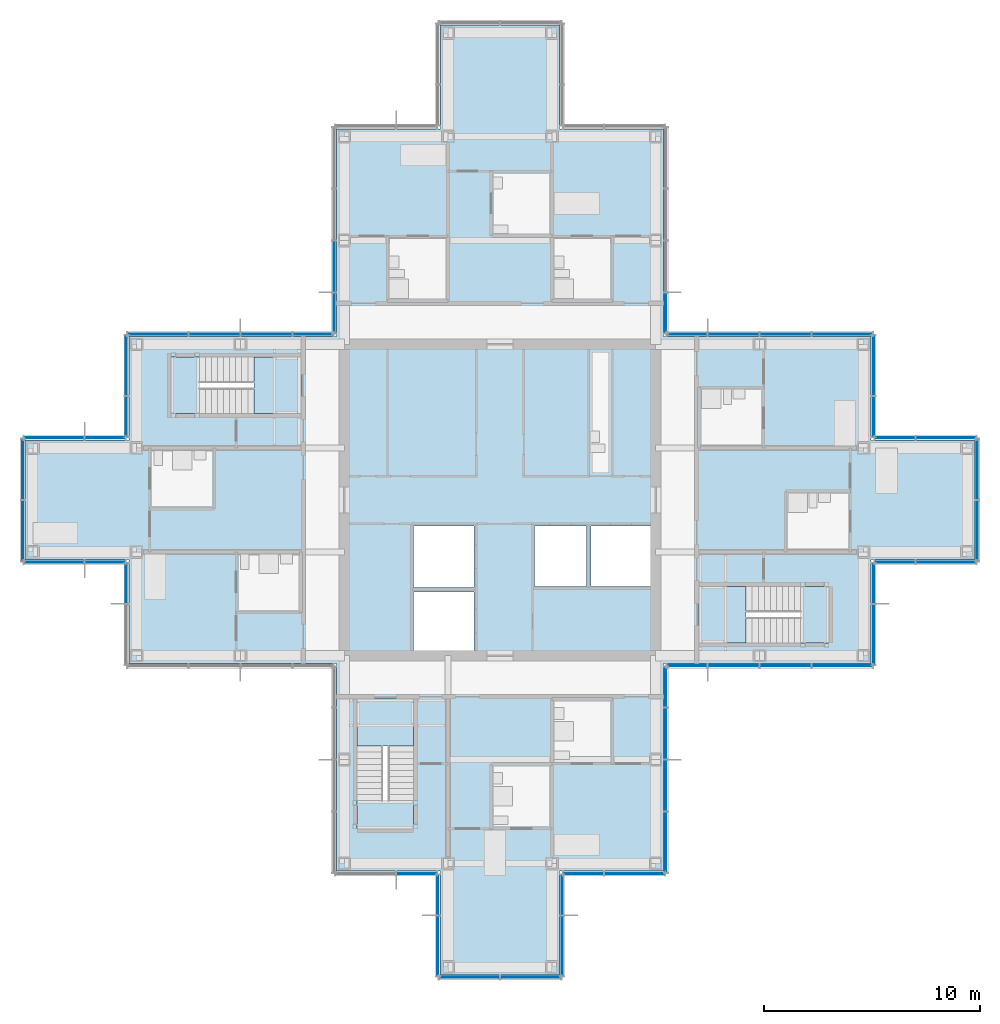
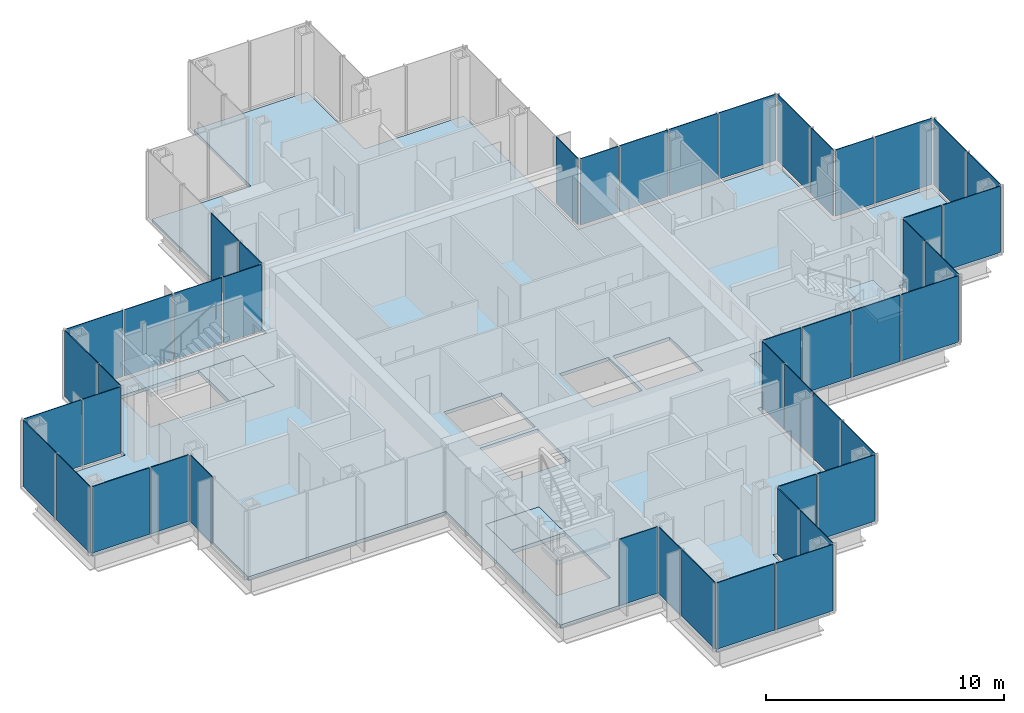
# One storey, part 10 of 17: 47 plates, 7 slabs, 24 elements without a shape of their own.
"""IFC4 building model written with IfcOpenShell, lengths in metres."""

from ifc_helpers import new_model, si_unit, direction, frame, origin, origin_2d, place, context, subcontext, project, spatial, polyline, rectangle, outline, extrude, material, layer, layer_set, type_object, element, aggregate, save


model = new_model("IFC4")

# Units and contexts
model_context = context("Model", 3, precision=1e-05, world=origin(), true_north=direction((0.0, 1.0)))
body_context = subcontext(model_context, "Body", "Model", "MODEL_VIEW")
ifc_project = project(units=[si_unit("LENGTHUNIT", "METRE"), si_unit("AREAUNIT", "SQUARE_METRE"), si_unit("VOLUMEUNIT", "CUBIC_METRE"), si_unit("PLANEANGLEUNIT", "RADIAN"), si_unit("MASSUNIT", "GRAM", prefix="KILO")], contexts=[model_context])

# Site, building, storey
site_placement = place(None, origin())
site = spatial("IfcSite", under=ifc_project, at=site_placement, CompositionType="ELEMENT")
building_placement = place(site_placement, origin())
building = spatial("IfcBuilding", under=site, at=building_placement, Name="Kvirike Care Tower", CompositionType="ELEMENT")
storey_placement = place(building_placement, frame((0.0, 0.0, 183.0)))
storey = spatial("IfcBuildingStorey", under=building, at=storey_placement, Name="L50", CompositionType="ELEMENT", Elevation=183.0)

# Slab
ifc_material_1 = material(Name="Concrete C35/45", Category="concrete")
ifc_layer_1 = layer(ifc_material_1, 0.169921875)
ifc_layer_set_1 = layer_set([ifc_layer_1], Name="FLOOR SLAB 170")
slab_type_1 = type_object("IfcSlabType", Name="FLOOR SLAB 170", PredefinedType="FLOOR", material=ifc_layer_set_1)
slab_1_placement = place(storey_placement, frame((0.0, 0.0, -0.169921875)))
element("IfcSlab", 1, at=slab_1_placement, inside=storey, type_object=slab_type_1, Name="Floor slab L50", PredefinedType="FLOOR", context=body_context, shape_type="SweptSolid", body=[
    extrude(outline(polyline([(29.14990234375, 28.449951171875), (38.75, 28.449951171875), (38.75, 33.25), (43.550048828125, 33.25), (43.550048828125, 38.75), (38.75, 38.75), (38.75, 43.550048828125), (29.14990234375, 43.550048828125), (29.14990234375, 53.14990234375), (24.35009765625, 53.14990234375), (24.35009765625, 57.949951171875), (18.85009765625, 57.949951171875), (18.85009765625, 53.14990234375), (14.050048828125, 53.14990234375), (14.050048828125, 43.550048828125), (4.449951171875, 43.550048828125), (4.449951171875, 38.75), (-0.35009765625, 38.75), (-0.35009765625, 33.25), (4.449951171875, 33.25), (4.449951171875, 28.449951171875), (14.050048828125, 28.449951171875), (14.050048828125, 18.85009765625), (18.85009765625, 18.85009765625), (18.85009765625, 14.050048828125), (24.35009765625, 14.050048828125), (24.35009765625, 18.85009765625), (29.14990234375, 18.85009765625), (29.14990234375, 28.449951171875)]), holes=[polyline([(17.60009765625, 29.050048828125), (17.60009765625, 31.75), (20.39990234375, 31.75), (20.39990234375, 29.050048828125), (17.60009765625, 29.050048828125)]), polyline([(17.60009765625, 31.949951171875), (17.60009765625, 34.800048828125), (20.39990234375, 34.800048828125), (20.39990234375, 31.949951171875), (17.60009765625, 31.949951171875)]), polyline([(23.199951171875, 32.0), (23.199951171875, 34.800048828125), (25.60009765625, 34.800048828125), (25.60009765625, 32.0), (23.199951171875, 32.0)]), polyline([(25.800048828125, 32.0), (25.800048828125, 34.800048828125), (28.550048828125, 34.800048828125), (28.550048828125, 32.0), (25.800048828125, 32.0)]), polyline([(12.39990234375, 42.60009765625), (12.39990234375, 40.0), (6.39990234375, 40.0), (6.39990234375, 42.60009765625), (12.39990234375, 42.60009765625)]), polyline([(30.800048828125, 29.39990234375), (30.800048828125, 32.0), (36.800048828125, 32.0), (36.800048828125, 29.39990234375), (30.800048828125, 29.39990234375)]), polyline([(15.0, 26.800048828125), (17.60009765625, 26.800048828125), (17.60009765625, 20.800048828125), (15.0, 20.800048828125), (15.0, 26.800048828125)])]), origin(), (0.0, 0.0, 1.0), 0.169921875),
])

# Stair, slabs
ifc_material_2 = material(Name="Concrete C35/45", Category="concrete")
stair_type = type_object("IfcStairType", Name="STAIR 20 RISERS", PredefinedType="HALF_TURN_STAIR", material=ifc_material_2)
stair_1_placement = place(storey_placement, origin())
stair_1 = element("IfcStair", 2, at=stair_1_placement, inside=storey, type_object=stair_type, Name="Stair 1 L50", PredefinedType="HALF_TURN_STAIR")
ifc_material_3 = material(Name="Concrete C35/45", Category="concrete")
ifc_layer_2 = layer(ifc_material_3, 0.199951171875)
ifc_layer_set_2 = layer_set([ifc_layer_2], Name="STAIR LANDING 200")
slab_type_2 = type_object("IfcSlabType", Name="STAIR LANDING 200", PredefinedType="LANDING", material=ifc_layer_set_2)
slab_2_placement = place(storey_placement, frame((0.0, 0.0, -0.199951171875)))
slab_2 = element("IfcSlab", 3, at=slab_2_placement, type_object=slab_type_2, Name="Stair S1 floor landing L50", PredefinedType="LANDING", context=body_context, shape_type="SweptSolid", body=[
    extrude(outline(polyline([(10.219970703125, 42.60009765625), (10.219970703125, 40.0), (12.39990234375, 40.0), (12.39990234375, 42.60009765625), (10.219970703125, 42.60009765625)])), origin(), (0.0, 0.0, 1.0), 0.199951171875),
])
slab_3_placement = place(storey_placement, frame((0.0, 0.0, 1.550048828125)))
slab_3 = element("IfcSlab", 4, at=slab_3_placement, type_object=slab_type_2, Name="Stair S1 half landing L50-L51", PredefinedType="LANDING", context=body_context, shape_type="SweptSolid", body=[
    extrude(outline(polyline([(6.39990234375, 42.60009765625), (6.39990234375, 40.0), (7.699951171875, 40.0), (7.699951171875, 42.60009765625), (6.39990234375, 42.60009765625)])), origin(), (0.0, 0.0, 1.0), 0.199951171875),
])
aggregate(stair_1, [slab_2, slab_3])

stair_2_placement = place(storey_placement, origin())
stair_2 = element("IfcStair", 5, at=stair_2_placement, inside=storey, type_object=stair_type, Name="Stair 2 L50", PredefinedType="HALF_TURN_STAIR")
slab_4_placement = place(storey_placement, frame((0.0, 0.0, -0.199951171875)))
slab_4 = element("IfcSlab", 6, at=slab_4_placement, type_object=slab_type_2, Name="Stair S2 floor landing L50", PredefinedType="LANDING", context=body_context, shape_type="SweptSolid", body=[
    extrude(outline(polyline([(32.97998046875, 29.39990234375), (32.97998046875, 32.0), (30.800048828125, 32.0), (30.800048828125, 29.39990234375), (32.97998046875, 29.39990234375)])), origin(), (0.0, 0.0, 1.0), 0.199951171875),
])
slab_5_placement = place(storey_placement, frame((0.0, 0.0, 1.550048828125)))
slab_5 = element("IfcSlab", 7, at=slab_5_placement, type_object=slab_type_2, Name="Stair S2 half landing L50-L51", PredefinedType="LANDING", context=body_context, shape_type="SweptSolid", body=[
    extrude(outline(polyline([(36.800048828125, 29.39990234375), (36.800048828125, 32.0), (35.5, 32.0), (35.5, 29.39990234375), (36.800048828125, 29.39990234375)])), origin(), (0.0, 0.0, 1.0), 0.199951171875),
])
aggregate(stair_2, [slab_4, slab_5])

stair_3_placement = place(storey_placement, origin())
stair_3 = element("IfcStair", 8, at=stair_3_placement, inside=storey, type_object=stair_type, Name="Stair 5 L50", PredefinedType="HALF_TURN_STAIR")
slab_6_placement = place(storey_placement, frame((0.0, 0.0, -0.199951171875)))
slab_6 = element("IfcSlab", 9, at=slab_6_placement, type_object=slab_type_2, Name="Stair S5 floor landing L50", PredefinedType="LANDING", context=body_context, shape_type="SweptSolid", body=[
    extrude(outline(polyline([(15.0, 24.6201171875), (17.60009765625, 24.6201171875), (17.60009765625, 26.800048828125), (15.0, 26.800048828125), (15.0, 24.6201171875)])), origin(), (0.0, 0.0, 1.0), 0.199951171875),
])
slab_7_placement = place(storey_placement, frame((0.0, 0.0, 1.550048828125)))
slab_7 = element("IfcSlab", 10, at=slab_7_placement, type_object=slab_type_2, Name="Stair S5 half landing L50-L51", PredefinedType="LANDING", context=body_context, shape_type="SweptSolid", body=[
    extrude(outline(polyline([(15.0, 20.800048828125), (17.60009765625, 20.800048828125), (17.60009765625, 22.10009765625), (15.0, 22.10009765625), (15.0, 20.800048828125)])), origin(), (0.0, 0.0, 1.0), 0.199951171875),
])
aggregate(stair_3, [slab_6, slab_7])

# Curtain wall, plates
ifc_material_4 = material(Name="Anodised aluminium stick system", Category="aluminium")
curtain_wall_type = type_object("IfcCurtainWallType", Name="CW-C STICK CURTAIN WALL", PredefinedType="NOTDEFINED", material=ifc_material_4)
curtain_wall_1_placement = place(storey_placement, origin())
curtain_wall_1 = element("IfcCurtainWall", 11, at=curtain_wall_1_placement, inside=storey, type_object=curtain_wall_type, Name="Curtain wall L50 face 1", PredefinedType="NOTDEFINED")
ifc_material_5 = material(Name="Tinted double glazed unit", Category="glass")
ifc_layer_3 = layer(ifc_material_5, 0.0400390625)
ifc_layer_set_3 = layer_set([ifc_layer_3], Name="TINTED VISION PANEL 40")
plate_type = type_object("IfcPlateType", Name="TINTED VISION PANEL 40", PredefinedType="CURTAIN_PANEL", material=ifc_layer_set_3)
plate_1_placement = place(storey_placement, frame((30.251220703125, 28.330078125, 0.10009765625), z_axis=(0.0, 0.0, 1.0), x_axis=(1.0, 0.0, 0.0)))
plate_1 = element("IfcPlate", 12, at=plate_1_placement, type_object=plate_type, Name="CW-C panel L50 face 1.1", PredefinedType="CURTAIN_PANEL", context=body_context, shape_type="SweptSolid", body=[
    extrude(rectangle(XDim=1.83251953125, YDim=0.0400390625, at=origin_2d()), origin(), (0.0, 0.0, 1.0), 3.39990234375),
])
plate_2_placement = place(storey_placement, frame((32.39990234375, 28.330078125, 0.10009765625), z_axis=(0.0, 0.0, 1.0), x_axis=(1.0, 0.0, 0.0)))
plate_2 = element("IfcPlate", 13, at=plate_2_placement, type_object=plate_type, Name="CW-C panel L50 face 1.2", PredefinedType="CURTAIN_PANEL", context=body_context, shape_type="SweptSolid", body=[
    extrude(rectangle(XDim=2.3349609375, YDim=0.0400390625, at=origin_2d()), origin(), (0.0, 0.0, 1.0), 3.39990234375),
])
plate_3_placement = place(storey_placement, frame((34.800048828125, 28.330078125, 0.10009765625), z_axis=(0.0, 0.0, 1.0), x_axis=(1.0, 0.0, 0.0)))
plate_3 = element("IfcPlate", 14, at=plate_3_placement, type_object=plate_type, Name="CW-C panel L50 face 1.3", PredefinedType="CURTAIN_PANEL", context=body_context, shape_type="SweptSolid", body=[
    extrude(rectangle(XDim=2.3349609375, YDim=0.0400390625, at=origin_2d()), origin(), (0.0, 0.0, 1.0), 3.39990234375),
])
plate_4_placement = place(storey_placement, frame((37.418701171875, 28.330078125, 0.10009765625), z_axis=(0.0, 0.0, 1.0), x_axis=(1.0, 0.0, 0.0)))
plate_4 = element("IfcPlate", 15, at=plate_4_placement, type_object=plate_type, Name="CW-C panel L50 face 1.4", PredefinedType="CURTAIN_PANEL", context=body_context, shape_type="SweptSolid", body=[
    extrude(rectangle(XDim=2.7724609375, YDim=0.0400390625, at=origin_2d()), origin(), (0.0, 0.0, 1.0), 3.39990234375),
])
aggregate(curtain_wall_1, [plate_1, plate_2, plate_3, plate_4])

curtain_wall_2_placement = place(storey_placement, origin())
curtain_wall_2 = element("IfcCurtainWall", 16, at=curtain_wall_2_placement, inside=storey, type_object=curtain_wall_type, Name="Curtain wall L50 face 2", PredefinedType="NOTDEFINED")
plate_5_placement = place(storey_placement, frame((38.8701171875, 29.78125, 0.10009765625), z_axis=(0.0, 0.0, 1.0), x_axis=(0.0, 1.0, 0.0)))
plate_5 = element("IfcPlate", 17, at=plate_5_placement, type_object=plate_type, Name="CW-C panel L50 face 2.1", PredefinedType="CURTAIN_PANEL", context=body_context, shape_type="SweptSolid", body=[
    extrude(rectangle(XDim=2.7724609375, YDim=0.0400390625, at=origin_2d()), origin(), (0.0, 0.0, 1.0), 3.39990234375),
])
plate_6_placement = place(storey_placement, frame((38.8701171875, 32.148681640625, 0.10009765625), z_axis=(0.0, 0.0, 1.0), x_axis=(0.0, 1.0, 0.0)))
plate_6 = element("IfcPlate", 18, at=plate_6_placement, type_object=plate_type, Name="CW-C panel L50 face 2.2", PredefinedType="CURTAIN_PANEL", context=body_context, shape_type="SweptSolid", body=[
    extrude(rectangle(XDim=1.83251953125, YDim=0.0400390625, at=origin_2d()), origin(), (0.0, 0.0, 1.0), 3.39990234375),
])
aggregate(curtain_wall_2, [plate_5, plate_6])

curtain_wall_3_placement = place(storey_placement, origin())
curtain_wall_3 = element("IfcCurtainWall", 19, at=curtain_wall_3_placement, inside=storey, type_object=curtain_wall_type, Name="Curtain wall L50 face 3", PredefinedType="NOTDEFINED")
plate_7_placement = place(storey_placement, frame((39.851318359375, 33.1298828125, 0.10009765625), z_axis=(0.0, 0.0, 1.0), x_axis=(1.0, 0.0, 0.0)))
plate_7 = element("IfcPlate", 20, at=plate_7_placement, type_object=plate_type, Name="CW-C panel L50 face 3.1", PredefinedType="CURTAIN_PANEL", context=body_context, shape_type="SweptSolid", body=[
    extrude(rectangle(XDim=1.83251953125, YDim=0.0400390625, at=origin_2d()), origin(), (0.0, 0.0, 1.0), 3.39990234375),
])
plate_8_placement = place(storey_placement, frame((42.21875, 33.1298828125, 0.10009765625), z_axis=(0.0, 0.0, 1.0), x_axis=(1.0, 0.0, 0.0)))
plate_8 = element("IfcPlate", 21, at=plate_8_placement, type_object=plate_type, Name="CW-C panel L50 face 3.2", PredefinedType="CURTAIN_PANEL", context=body_context, shape_type="SweptSolid", body=[
    extrude(rectangle(XDim=2.7724609375, YDim=0.0400390625, at=origin_2d()), origin(), (0.0, 0.0, 1.0), 3.39990234375),
])
aggregate(curtain_wall_3, [plate_7, plate_8])

curtain_wall_4_placement = place(storey_placement, origin())
curtain_wall_4 = element("IfcCurtainWall", 22, at=curtain_wall_4_placement, inside=storey, type_object=curtain_wall_type, Name="Curtain wall L50 face 4", PredefinedType="NOTDEFINED")
plate_9_placement = place(storey_placement, frame((43.669921875, 34.581298828125, 0.10009765625), z_axis=(0.0, 0.0, 1.0), x_axis=(0.0, 1.0, 0.0)))
plate_9 = element("IfcPlate", 23, at=plate_9_placement, type_object=plate_type, Name="CW-C panel L50 face 4.1", PredefinedType="CURTAIN_PANEL", context=body_context, shape_type="SweptSolid", body=[
    extrude(rectangle(XDim=2.7724609375, YDim=0.0400390625, at=origin_2d()), origin(), (0.0, 0.0, 1.0), 3.39990234375),
])
plate_10_placement = place(storey_placement, frame((43.669921875, 37.418701171875, 0.10009765625), z_axis=(0.0, 0.0, 1.0), x_axis=(0.0, 1.0, 0.0)))
plate_10 = element("IfcPlate", 24, at=plate_10_placement, type_object=plate_type, Name="CW-C panel L50 face 4.2", PredefinedType="CURTAIN_PANEL", context=body_context, shape_type="SweptSolid", body=[
    extrude(rectangle(XDim=2.7724609375, YDim=0.0400390625, at=origin_2d()), origin(), (0.0, 0.0, 1.0), 3.39990234375),
])
aggregate(curtain_wall_4, [plate_9, plate_10])

curtain_wall_5_placement = place(storey_placement, origin())
curtain_wall_5 = element("IfcCurtainWall", 25, at=curtain_wall_5_placement, inside=storey, type_object=curtain_wall_type, Name="Curtain wall L50 face 5", PredefinedType="NOTDEFINED")
plate_11_placement = place(storey_placement, frame((42.21875, 38.8701171875, 0.10009765625), z_axis=(0.0, 0.0, 1.0), x_axis=(-1.0, 0.0, 0.0)))
plate_11 = element("IfcPlate", 26, at=plate_11_placement, type_object=plate_type, Name="CW-C panel L50 face 5.1", PredefinedType="CURTAIN_PANEL", context=body_context, shape_type="SweptSolid", body=[
    extrude(rectangle(XDim=2.7724609375, YDim=0.0400390625, at=origin_2d()), origin(), (0.0, 0.0, 1.0), 3.39990234375),
])
plate_12_placement = place(storey_placement, frame((39.851318359375, 38.8701171875, 0.10009765625), z_axis=(0.0, 0.0, 1.0), x_axis=(-1.0, 0.0, 0.0)))
plate_12 = element("IfcPlate", 27, at=plate_12_placement, type_object=plate_type, Name="CW-C panel L50 face 5.2", PredefinedType="CURTAIN_PANEL", context=body_context, shape_type="SweptSolid", body=[
    extrude(rectangle(XDim=1.83251953125, YDim=0.0400390625, at=origin_2d()), origin(), (0.0, 0.0, 1.0), 3.39990234375),
])
aggregate(curtain_wall_5, [plate_11, plate_12])

curtain_wall_6_placement = place(storey_placement, origin())
curtain_wall_6 = element("IfcCurtainWall", 28, at=curtain_wall_6_placement, inside=storey, type_object=curtain_wall_type, Name="Curtain wall L50 face 6", PredefinedType="NOTDEFINED")
plate_13_placement = place(storey_placement, frame((38.8701171875, 39.851318359375, 0.10009765625), z_axis=(0.0, 0.0, 1.0), x_axis=(0.0, 1.0, 0.0)))
plate_13 = element("IfcPlate", 29, at=plate_13_placement, type_object=plate_type, Name="CW-C panel L50 face 6.1", PredefinedType="CURTAIN_PANEL", context=body_context, shape_type="SweptSolid", body=[
    extrude(rectangle(XDim=1.83251953125, YDim=0.0400390625, at=origin_2d()), origin(), (0.0, 0.0, 1.0), 3.39990234375),
])
plate_14_placement = place(storey_placement, frame((38.8701171875, 42.21875, 0.10009765625), z_axis=(0.0, 0.0, 1.0), x_axis=(0.0, 1.0, 0.0)))
plate_14 = element("IfcPlate", 30, at=plate_14_placement, type_object=plate_type, Name="CW-C panel L50 face 6.2", PredefinedType="CURTAIN_PANEL", context=body_context, shape_type="SweptSolid", body=[
    extrude(rectangle(XDim=2.7724609375, YDim=0.0400390625, at=origin_2d()), origin(), (0.0, 0.0, 1.0), 3.39990234375),
])
aggregate(curtain_wall_6, [plate_13, plate_14])

curtain_wall_7_placement = place(storey_placement, origin())
curtain_wall_7 = element("IfcCurtainWall", 31, at=curtain_wall_7_placement, inside=storey, type_object=curtain_wall_type, Name="Curtain wall L50 face 7", PredefinedType="NOTDEFINED")
plate_15_placement = place(storey_placement, frame((37.418701171875, 43.669921875, 0.10009765625), z_axis=(0.0, 0.0, 1.0), x_axis=(-1.0, 0.0, 0.0)))
plate_15 = element("IfcPlate", 32, at=plate_15_placement, type_object=plate_type, Name="CW-C panel L50 face 7.1", PredefinedType="CURTAIN_PANEL", context=body_context, shape_type="SweptSolid", body=[
    extrude(rectangle(XDim=2.7724609375, YDim=0.0400390625, at=origin_2d()), origin(), (0.0, 0.0, 1.0), 3.39990234375),
])
plate_16_placement = place(storey_placement, frame((34.800048828125, 43.669921875, 0.10009765625), z_axis=(0.0, 0.0, 1.0), x_axis=(-1.0, 0.0, 0.0)))
plate_16 = element("IfcPlate", 33, at=plate_16_placement, type_object=plate_type, Name="CW-C panel L50 face 7.2", PredefinedType="CURTAIN_PANEL", context=body_context, shape_type="SweptSolid", body=[
    extrude(rectangle(XDim=2.3349609375, YDim=0.0400390625, at=origin_2d()), origin(), (0.0, 0.0, 1.0), 3.39990234375),
])
plate_17_placement = place(storey_placement, frame((32.39990234375, 43.669921875, 0.10009765625), z_axis=(0.0, 0.0, 1.0), x_axis=(-1.0, 0.0, 0.0)))
plate_17 = element("IfcPlate", 34, at=plate_17_placement, type_object=plate_type, Name="CW-C panel L50 face 7.3", PredefinedType="CURTAIN_PANEL", context=body_context, shape_type="SweptSolid", body=[
    extrude(rectangle(XDim=2.3349609375, YDim=0.0400390625, at=origin_2d()), origin(), (0.0, 0.0, 1.0), 3.39990234375),
])
plate_18_placement = place(storey_placement, frame((30.251220703125, 43.669921875, 0.10009765625), z_axis=(0.0, 0.0, 1.0), x_axis=(-1.0, 0.0, 0.0)))
plate_18 = element("IfcPlate", 35, at=plate_18_placement, type_object=plate_type, Name="CW-C panel L50 face 7.4", PredefinedType="CURTAIN_PANEL", context=body_context, shape_type="SweptSolid", body=[
    extrude(rectangle(XDim=1.83251953125, YDim=0.0400390625, at=origin_2d()), origin(), (0.0, 0.0, 1.0), 3.39990234375),
])
aggregate(curtain_wall_7, [plate_15, plate_16, plate_17, plate_18])

# Curtain wall, plate
curtain_wall_8_placement = place(storey_placement, origin())
curtain_wall_8 = element("IfcCurtainWall", 36, at=curtain_wall_8_placement, inside=storey, type_object=curtain_wall_type, Name="Curtain wall L50 face 8", PredefinedType="NOTDEFINED")
plate_19_placement = place(storey_placement, frame((29.27001953125, 44.6513671875, 0.10009765625), z_axis=(0.0, 0.0, 1.0), x_axis=(0.0, 1.0, 0.0)))
plate_19 = element("IfcPlate", 37, at=plate_19_placement, type_object=plate_type, Name="CW-C panel L50 face 8.1", PredefinedType="CURTAIN_PANEL", context=body_context, shape_type="SweptSolid", body=[
    extrude(rectangle(XDim=1.83251953125, YDim=0.0400390625, at=origin_2d()), origin(), (0.0, 0.0, 1.0), 3.39990234375),
])
aggregate(curtain_wall_8, [plate_19])

# Curtain wall, plates
curtain_wall_9_placement = place(storey_placement, origin())
curtain_wall_9 = element("IfcCurtainWall", 38, at=curtain_wall_9_placement, inside=storey, type_object=curtain_wall_type, Name="Curtain wall L50 face 14", PredefinedType="NOTDEFINED")
plate_20_placement = place(storey_placement, frame((13.929931640625, 46.800048828125, 0.10009765625), z_axis=(0.0, 0.0, 1.0), x_axis=(0.0, -1.0, 0.0)))
plate_20 = element("IfcPlate", 39, at=plate_20_placement, type_object=plate_type, Name="CW-C panel L50 face 14.3", PredefinedType="CURTAIN_PANEL", context=body_context, shape_type="SweptSolid", body=[
    extrude(rectangle(XDim=2.3349609375, YDim=0.0400390625, at=origin_2d()), origin(), (0.0, 0.0, 1.0), 3.39990234375),
])
plate_21_placement = place(storey_placement, frame((13.929931640625, 44.6513671875, 0.10009765625), z_axis=(0.0, 0.0, 1.0), x_axis=(0.0, -1.0, 0.0)))
plate_21 = element("IfcPlate", 40, at=plate_21_placement, type_object=plate_type, Name="CW-C panel L50 face 14.4", PredefinedType="CURTAIN_PANEL", context=body_context, shape_type="SweptSolid", body=[
    extrude(rectangle(XDim=1.83251953125, YDim=0.0400390625, at=origin_2d()), origin(), (0.0, 0.0, 1.0), 3.39990234375),
])
aggregate(curtain_wall_9, [plate_20, plate_21])

curtain_wall_10_placement = place(storey_placement, origin())
curtain_wall_10 = element("IfcCurtainWall", 41, at=curtain_wall_10_placement, inside=storey, type_object=curtain_wall_type, Name="Curtain wall L50 face 15", PredefinedType="NOTDEFINED")
plate_22_placement = place(storey_placement, frame((12.94873046875, 43.669921875, 0.10009765625), z_axis=(0.0, 0.0, 1.0), x_axis=(-1.0, 0.0, 0.0)))
plate_22 = element("IfcPlate", 42, at=plate_22_placement, type_object=plate_type, Name="CW-C panel L50 face 15.1", PredefinedType="CURTAIN_PANEL", context=body_context, shape_type="SweptSolid", body=[
    extrude(rectangle(XDim=1.83251953125, YDim=0.0400390625, at=origin_2d()), origin(), (0.0, 0.0, 1.0), 3.39990234375),
])
plate_23_placement = place(storey_placement, frame((10.800048828125, 43.669921875, 0.10009765625), z_axis=(0.0, 0.0, 1.0), x_axis=(-1.0, 0.0, 0.0)))
plate_23 = element("IfcPlate", 43, at=plate_23_placement, type_object=plate_type, Name="CW-C panel L50 face 15.2", PredefinedType="CURTAIN_PANEL", context=body_context, shape_type="SweptSolid", body=[
    extrude(rectangle(XDim=2.3349609375, YDim=0.0400390625, at=origin_2d()), origin(), (0.0, 0.0, 1.0), 3.39990234375),
])
plate_24_placement = place(storey_placement, frame((8.39990234375, 43.669921875, 0.10009765625), z_axis=(0.0, 0.0, 1.0), x_axis=(-1.0, 0.0, 0.0)))
plate_24 = element("IfcPlate", 44, at=plate_24_placement, type_object=plate_type, Name="CW-C panel L50 face 15.3", PredefinedType="CURTAIN_PANEL", context=body_context, shape_type="SweptSolid", body=[
    extrude(rectangle(XDim=2.3349609375, YDim=0.0400390625, at=origin_2d()), origin(), (0.0, 0.0, 1.0), 3.39990234375),
])
plate_25_placement = place(storey_placement, frame((5.78125, 43.669921875, 0.10009765625), z_axis=(0.0, 0.0, 1.0), x_axis=(-1.0, 0.0, 0.0)))
plate_25 = element("IfcPlate", 45, at=plate_25_placement, type_object=plate_type, Name="CW-C panel L50 face 15.4", PredefinedType="CURTAIN_PANEL", context=body_context, shape_type="SweptSolid", body=[
    extrude(rectangle(XDim=2.7724609375, YDim=0.0400390625, at=origin_2d()), origin(), (0.0, 0.0, 1.0), 3.39990234375),
])
aggregate(curtain_wall_10, [plate_22, plate_23, plate_24, plate_25])

curtain_wall_11_placement = place(storey_placement, origin())
curtain_wall_11 = element("IfcCurtainWall", 46, at=curtain_wall_11_placement, inside=storey, type_object=curtain_wall_type, Name="Curtain wall L50 face 16", PredefinedType="NOTDEFINED")
plate_26_placement = place(storey_placement, frame((4.330078125, 42.21875, 0.10009765625), z_axis=(0.0, 0.0, 1.0), x_axis=(0.0, -1.0, 0.0)))
plate_26 = element("IfcPlate", 47, at=plate_26_placement, type_object=plate_type, Name="CW-C panel L50 face 16.1", PredefinedType="CURTAIN_PANEL", context=body_context, shape_type="SweptSolid", body=[
    extrude(rectangle(XDim=2.7724609375, YDim=0.0400390625, at=origin_2d()), origin(), (0.0, 0.0, 1.0), 3.39990234375),
])
plate_27_placement = place(storey_placement, frame((4.330078125, 39.851318359375, 0.10009765625), z_axis=(0.0, 0.0, 1.0), x_axis=(0.0, -1.0, 0.0)))
plate_27 = element("IfcPlate", 48, at=plate_27_placement, type_object=plate_type, Name="CW-C panel L50 face 16.2", PredefinedType="CURTAIN_PANEL", context=body_context, shape_type="SweptSolid", body=[
    extrude(rectangle(XDim=1.83251953125, YDim=0.0400390625, at=origin_2d()), origin(), (0.0, 0.0, 1.0), 3.39990234375),
])
aggregate(curtain_wall_11, [plate_26, plate_27])

curtain_wall_12_placement = place(storey_placement, origin())
curtain_wall_12 = element("IfcCurtainWall", 49, at=curtain_wall_12_placement, inside=storey, type_object=curtain_wall_type, Name="Curtain wall L50 face 17", PredefinedType="NOTDEFINED")
plate_28_placement = place(storey_placement, frame((3.3486328125, 38.8701171875, 0.10009765625), z_axis=(0.0, 0.0, 1.0), x_axis=(-1.0, 0.0, 0.0)))
plate_28 = element("IfcPlate", 50, at=plate_28_placement, type_object=plate_type, Name="CW-C panel L50 face 17.1", PredefinedType="CURTAIN_PANEL", context=body_context, shape_type="SweptSolid", body=[
    extrude(rectangle(XDim=1.83251953125, YDim=0.0400390625, at=origin_2d()), origin(), (0.0, 0.0, 1.0), 3.39990234375),
])
plate_29_placement = place(storey_placement, frame((0.981201171875, 38.8701171875, 0.10009765625), z_axis=(0.0, 0.0, 1.0), x_axis=(-1.0, 0.0, 0.0)))
plate_29 = element("IfcPlate", 51, at=plate_29_placement, type_object=plate_type, Name="CW-C panel L50 face 17.2", PredefinedType="CURTAIN_PANEL", context=body_context, shape_type="SweptSolid", body=[
    extrude(rectangle(XDim=2.7724609375, YDim=0.0400390625, at=origin_2d()), origin(), (0.0, 0.0, 1.0), 3.39990234375),
])
aggregate(curtain_wall_12, [plate_28, plate_29])

curtain_wall_13_placement = place(storey_placement, origin())
curtain_wall_13 = element("IfcCurtainWall", 52, at=curtain_wall_13_placement, inside=storey, type_object=curtain_wall_type, Name="Curtain wall L50 face 18", PredefinedType="NOTDEFINED")
plate_30_placement = place(storey_placement, frame((-0.469970703125, 37.418701171875, 0.10009765625), z_axis=(0.0, 0.0, 1.0), x_axis=(0.0, -1.0, 0.0)))
plate_30 = element("IfcPlate", 53, at=plate_30_placement, type_object=plate_type, Name="CW-C panel L50 face 18.1", PredefinedType="CURTAIN_PANEL", context=body_context, shape_type="SweptSolid", body=[
    extrude(rectangle(XDim=2.7724609375, YDim=0.0400390625, at=origin_2d()), origin(), (0.0, 0.0, 1.0), 3.39990234375),
])
plate_31_placement = place(storey_placement, frame((-0.469970703125, 34.581298828125, 0.10009765625), z_axis=(0.0, 0.0, 1.0), x_axis=(0.0, -1.0, 0.0)))
plate_31 = element("IfcPlate", 54, at=plate_31_placement, type_object=plate_type, Name="CW-C panel L50 face 18.2", PredefinedType="CURTAIN_PANEL", context=body_context, shape_type="SweptSolid", body=[
    extrude(rectangle(XDim=2.7724609375, YDim=0.0400390625, at=origin_2d()), origin(), (0.0, 0.0, 1.0), 3.39990234375),
])
aggregate(curtain_wall_13, [plate_30, plate_31])

curtain_wall_14_placement = place(storey_placement, origin())
curtain_wall_14 = element("IfcCurtainWall", 55, at=curtain_wall_14_placement, inside=storey, type_object=curtain_wall_type, Name="Curtain wall L50 face 19", PredefinedType="NOTDEFINED")
plate_32_placement = place(storey_placement, frame((0.981201171875, 33.1298828125, 0.10009765625), z_axis=(0.0, 0.0, 1.0), x_axis=(1.0, 0.0, 0.0)))
plate_32 = element("IfcPlate", 56, at=plate_32_placement, type_object=plate_type, Name="CW-C panel L50 face 19.1", PredefinedType="CURTAIN_PANEL", context=body_context, shape_type="SweptSolid", body=[
    extrude(rectangle(XDim=2.7724609375, YDim=0.0400390625, at=origin_2d()), origin(), (0.0, 0.0, 1.0), 3.39990234375),
])
plate_33_placement = place(storey_placement, frame((3.3486328125, 33.1298828125, 0.10009765625), z_axis=(0.0, 0.0, 1.0), x_axis=(1.0, 0.0, 0.0)))
plate_33 = element("IfcPlate", 57, at=plate_33_placement, type_object=plate_type, Name="CW-C panel L50 face 19.2", PredefinedType="CURTAIN_PANEL", context=body_context, shape_type="SweptSolid", body=[
    extrude(rectangle(XDim=1.83251953125, YDim=0.0400390625, at=origin_2d()), origin(), (0.0, 0.0, 1.0), 3.39990234375),
])
aggregate(curtain_wall_14, [plate_32, plate_33])

# Curtain wall, plate
curtain_wall_15_placement = place(storey_placement, origin())
curtain_wall_15 = element("IfcCurtainWall", 58, at=curtain_wall_15_placement, inside=storey, type_object=curtain_wall_type, Name="Curtain wall L50 face 20", PredefinedType="NOTDEFINED")
plate_34_placement = place(storey_placement, frame((4.330078125, 32.148681640625, 0.10009765625), z_axis=(0.0, 0.0, 1.0), x_axis=(0.0, -1.0, 0.0)))
plate_34 = element("IfcPlate", 59, at=plate_34_placement, type_object=plate_type, Name="CW-C panel L50 face 20.1", PredefinedType="CURTAIN_PANEL", context=body_context, shape_type="SweptSolid", body=[
    extrude(rectangle(XDim=1.83251953125, YDim=0.0400390625, at=origin_2d()), origin(), (0.0, 0.0, 1.0), 3.39990234375),
])
aggregate(curtain_wall_15, [plate_34])

curtain_wall_16_placement = place(storey_placement, origin())
curtain_wall_16 = element("IfcCurtainWall", 60, at=curtain_wall_16_placement, inside=storey, type_object=curtain_wall_type, Name="Curtain wall L50 face 23", PredefinedType="NOTDEFINED")
plate_35_placement = place(storey_placement, frame((17.748779296875, 18.72998046875, 0.10009765625), z_axis=(0.0, 0.0, 1.0), x_axis=(1.0, 0.0, 0.0)))
plate_35 = element("IfcPlate", 61, at=plate_35_placement, type_object=plate_type, Name="CW-C panel L50 face 23.2", PredefinedType="CURTAIN_PANEL", context=body_context, shape_type="SweptSolid", body=[
    extrude(rectangle(XDim=1.83251953125, YDim=0.0400390625, at=origin_2d()), origin(), (0.0, 0.0, 1.0), 3.39990234375),
])
aggregate(curtain_wall_16, [plate_35])

# Curtain wall, plates
curtain_wall_17_placement = place(storey_placement, origin())
curtain_wall_17 = element("IfcCurtainWall", 62, at=curtain_wall_17_placement, inside=storey, type_object=curtain_wall_type, Name="Curtain wall L50 face 24", PredefinedType="NOTDEFINED")
plate_36_placement = place(storey_placement, frame((18.72998046875, 17.748779296875, 0.10009765625), z_axis=(0.0, 0.0, 1.0), x_axis=(0.0, -1.0, 0.0)))
plate_36 = element("IfcPlate", 63, at=plate_36_placement, type_object=plate_type, Name="CW-C panel L50 face 24.1", PredefinedType="CURTAIN_PANEL", context=body_context, shape_type="SweptSolid", body=[
    extrude(rectangle(XDim=1.83251953125, YDim=0.0400390625, at=origin_2d()), origin(), (0.0, 0.0, 1.0), 3.39990234375),
])
plate_37_placement = place(storey_placement, frame((18.72998046875, 15.38134765625, 0.10009765625), z_axis=(0.0, 0.0, 1.0), x_axis=(0.0, -1.0, 0.0)))
plate_37 = element("IfcPlate", 64, at=plate_37_placement, type_object=plate_type, Name="CW-C panel L50 face 24.2", PredefinedType="CURTAIN_PANEL", context=body_context, shape_type="SweptSolid", body=[
    extrude(rectangle(XDim=2.7724609375, YDim=0.0400390625, at=origin_2d()), origin(), (0.0, 0.0, 1.0), 3.39990234375),
])
aggregate(curtain_wall_17, [plate_36, plate_37])

curtain_wall_18_placement = place(storey_placement, origin())
curtain_wall_18 = element("IfcCurtainWall", 65, at=curtain_wall_18_placement, inside=storey, type_object=curtain_wall_type, Name="Curtain wall L50 face 25", PredefinedType="NOTDEFINED")
plate_38_placement = place(storey_placement, frame((20.18115234375, 13.929931640625, 0.10009765625), z_axis=(0.0, 0.0, 1.0), x_axis=(1.0, 0.0, 0.0)))
plate_38 = element("IfcPlate", 66, at=plate_38_placement, type_object=plate_type, Name="CW-C panel L50 face 25.1", PredefinedType="CURTAIN_PANEL", context=body_context, shape_type="SweptSolid", body=[
    extrude(rectangle(XDim=2.7724609375, YDim=0.0400390625, at=origin_2d()), origin(), (0.0, 0.0, 1.0), 3.39990234375),
])
plate_39_placement = place(storey_placement, frame((23.018798828125, 13.929931640625, 0.10009765625), z_axis=(0.0, 0.0, 1.0), x_axis=(1.0, 0.0, 0.0)))
plate_39 = element("IfcPlate", 67, at=plate_39_placement, type_object=plate_type, Name="CW-C panel L50 face 25.2", PredefinedType="CURTAIN_PANEL", context=body_context, shape_type="SweptSolid", body=[
    extrude(rectangle(XDim=2.7724609375, YDim=0.0400390625, at=origin_2d()), origin(), (0.0, 0.0, 1.0), 3.39990234375),
])
aggregate(curtain_wall_18, [plate_38, plate_39])

curtain_wall_19_placement = place(storey_placement, origin())
curtain_wall_19 = element("IfcCurtainWall", 68, at=curtain_wall_19_placement, inside=storey, type_object=curtain_wall_type, Name="Curtain wall L50 face 26", PredefinedType="NOTDEFINED")
plate_40_placement = place(storey_placement, frame((24.469970703125, 15.38134765625, 0.10009765625), z_axis=(0.0, 0.0, 1.0), x_axis=(0.0, 1.0, 0.0)))
plate_40 = element("IfcPlate", 69, at=plate_40_placement, type_object=plate_type, Name="CW-C panel L50 face 26.1", PredefinedType="CURTAIN_PANEL", context=body_context, shape_type="SweptSolid", body=[
    extrude(rectangle(XDim=2.7724609375, YDim=0.0400390625, at=origin_2d()), origin(), (0.0, 0.0, 1.0), 3.39990234375),
])
plate_41_placement = place(storey_placement, frame((24.469970703125, 17.748779296875, 0.10009765625), z_axis=(0.0, 0.0, 1.0), x_axis=(0.0, 1.0, 0.0)))
plate_41 = element("IfcPlate", 70, at=plate_41_placement, type_object=plate_type, Name="CW-C panel L50 face 26.2", PredefinedType="CURTAIN_PANEL", context=body_context, shape_type="SweptSolid", body=[
    extrude(rectangle(XDim=1.83251953125, YDim=0.0400390625, at=origin_2d()), origin(), (0.0, 0.0, 1.0), 3.39990234375),
])
aggregate(curtain_wall_19, [plate_40, plate_41])

curtain_wall_20_placement = place(storey_placement, origin())
curtain_wall_20 = element("IfcCurtainWall", 71, at=curtain_wall_20_placement, inside=storey, type_object=curtain_wall_type, Name="Curtain wall L50 face 27", PredefinedType="NOTDEFINED")
plate_42_placement = place(storey_placement, frame((25.451171875, 18.72998046875, 0.10009765625), z_axis=(0.0, 0.0, 1.0), x_axis=(1.0, 0.0, 0.0)))
plate_42 = element("IfcPlate", 72, at=plate_42_placement, type_object=plate_type, Name="CW-C panel L50 face 27.1", PredefinedType="CURTAIN_PANEL", context=body_context, shape_type="SweptSolid", body=[
    extrude(rectangle(XDim=1.83251953125, YDim=0.0400390625, at=origin_2d()), origin(), (0.0, 0.0, 1.0), 3.39990234375),
])
plate_43_placement = place(storey_placement, frame((27.81884765625, 18.72998046875, 0.10009765625), z_axis=(0.0, 0.0, 1.0), x_axis=(1.0, 0.0, 0.0)))
plate_43 = element("IfcPlate", 73, at=plate_43_placement, type_object=plate_type, Name="CW-C panel L50 face 27.2", PredefinedType="CURTAIN_PANEL", context=body_context, shape_type="SweptSolid", body=[
    extrude(rectangle(XDim=2.7724609375, YDim=0.0400390625, at=origin_2d()), origin(), (0.0, 0.0, 1.0), 3.39990234375),
])
aggregate(curtain_wall_20, [plate_42, plate_43])

curtain_wall_21_placement = place(storey_placement, origin())
curtain_wall_21 = element("IfcCurtainWall", 74, at=curtain_wall_21_placement, inside=storey, type_object=curtain_wall_type, Name="Curtain wall L50 face 28", PredefinedType="NOTDEFINED")
plate_44_placement = place(storey_placement, frame((29.27001953125, 20.18115234375, 0.10009765625), z_axis=(0.0, 0.0, 1.0), x_axis=(0.0, 1.0, 0.0)))
plate_44 = element("IfcPlate", 75, at=plate_44_placement, type_object=plate_type, Name="CW-C panel L50 face 28.1", PredefinedType="CURTAIN_PANEL", context=body_context, shape_type="SweptSolid", body=[
    extrude(rectangle(XDim=2.7724609375, YDim=0.0400390625, at=origin_2d()), origin(), (0.0, 0.0, 1.0), 3.39990234375),
])
plate_45_placement = place(storey_placement, frame((29.27001953125, 22.800048828125, 0.10009765625), z_axis=(0.0, 0.0, 1.0), x_axis=(0.0, 1.0, 0.0)))
plate_45 = element("IfcPlate", 76, at=plate_45_placement, type_object=plate_type, Name="CW-C panel L50 face 28.2", PredefinedType="CURTAIN_PANEL", context=body_context, shape_type="SweptSolid", body=[
    extrude(rectangle(XDim=2.3349609375, YDim=0.0400390625, at=origin_2d()), origin(), (0.0, 0.0, 1.0), 3.39990234375),
])
plate_46_placement = place(storey_placement, frame((29.27001953125, 25.199951171875, 0.10009765625), z_axis=(0.0, 0.0, 1.0), x_axis=(0.0, 1.0, 0.0)))
plate_46 = element("IfcPlate", 77, at=plate_46_placement, type_object=plate_type, Name="CW-C panel L50 face 28.3", PredefinedType="CURTAIN_PANEL", context=body_context, shape_type="SweptSolid", body=[
    extrude(rectangle(XDim=2.3349609375, YDim=0.0400390625, at=origin_2d()), origin(), (0.0, 0.0, 1.0), 3.39990234375),
])
plate_47_placement = place(storey_placement, frame((29.27001953125, 27.3486328125, 0.10009765625), z_axis=(0.0, 0.0, 1.0), x_axis=(0.0, 1.0, 0.0)))
plate_47 = element("IfcPlate", 78, at=plate_47_placement, type_object=plate_type, Name="CW-C panel L50 face 28.4", PredefinedType="CURTAIN_PANEL", context=body_context, shape_type="SweptSolid", body=[
    extrude(rectangle(XDim=1.83251953125, YDim=0.0400390625, at=origin_2d()), origin(), (0.0, 0.0, 1.0), 3.39990234375),
])
aggregate(curtain_wall_21, [plate_44, plate_45, plate_46, plate_47])

save(model, "model.ifc")
